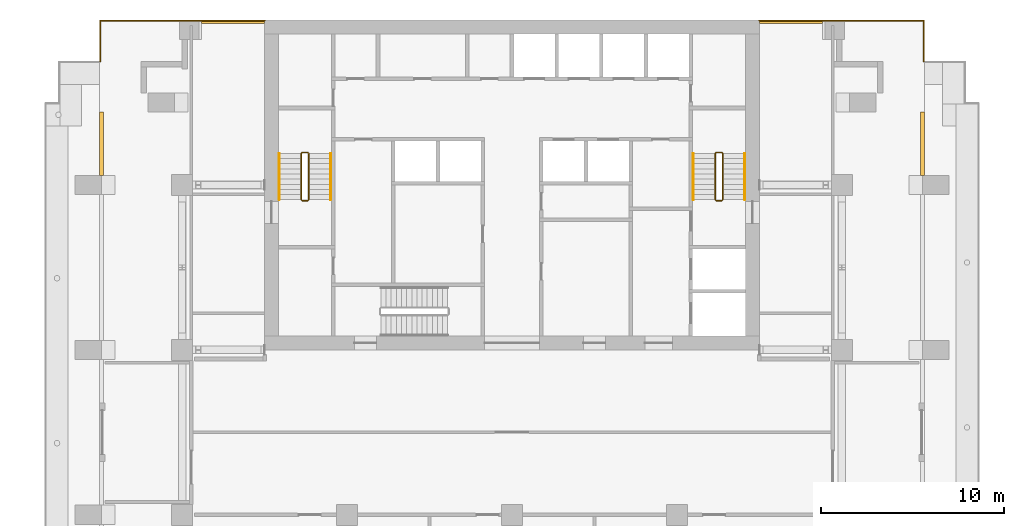
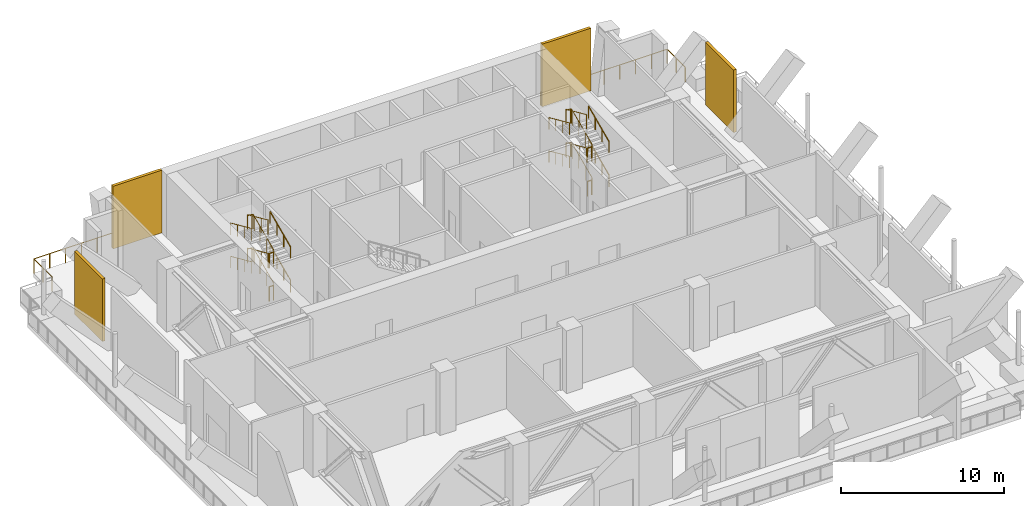
# One storey, part 8 of 9: 18 railings, 4 shading devices.
"""IFC4 building model written with IfcOpenShell, lengths in metres."""

from ifc_helpers import new_model, si_unit, direction, frame, origin, origin_2d, place, context, subcontext, project, spatial, polyline, rectangle, circle, outline, extrude, material, layer, layer_set, type_object, element, save


model = new_model("IFC4")

# Units and contexts
model_context = context("Model", 3, precision=1e-05, world=origin(), true_north=direction((0.0, 1.0)))
body_context = subcontext(model_context, "Body", "Model", "MODEL_VIEW")
ifc_project = project(units=[si_unit("LENGTHUNIT", "METRE"), si_unit("AREAUNIT", "SQUARE_METRE"), si_unit("VOLUMEUNIT", "CUBIC_METRE"), si_unit("PLANEANGLEUNIT", "RADIAN"), si_unit("MASSUNIT", "GRAM", prefix="KILO")], contexts=[model_context])

# Site, building, storey
site_placement = place(None, origin())
site = spatial("IfcSite", under=ifc_project, at=site_placement, CompositionType="ELEMENT")
building_placement = place(site_placement, origin())
building = spatial("IfcBuilding", under=site, at=building_placement, Name="Orbiselva Terraces", CompositionType="ELEMENT")
storey_placement = place(building_placement, frame((0.0, 0.0, 179.4)))
storey = spatial("IfcBuildingStorey", under=building, at=storey_placement, Name="L45", CompositionType="ELEMENT", Elevation=179.4)

# Railings
ifc_material_1 = material(Name="Stainless steel", Category="steel")
railing_type_1 = type_object("IfcRailingType", Name="CORE-GUARD-1100", PredefinedType="GUARDRAIL", material=ifc_material_1)
railing_1_placement = place(storey_placement, frame((-11.1, 12.7, 0.125)))
element("IfcRailing", 1, at=railing_1_placement, inside=storey, type_object=railing_type_1, Name="L45 S1 stair guard 1", PredefinedType="GUARDRAIL", context=body_context, shape_type="SweptSolid", body=[
    extrude(circle(Radius=0.024, at=origin_2d()), frame((0.0, 0.0, 1.081), z_axis=(0.0, 0.913137882438, 0.407650840374), x_axis=(-1.0, 0.0, 0.0)), (0.0, 0.0, 1.0), 2.759715),
    extrude(circle(Radius=0.024, at=origin_2d()), frame((0.0, 2.52, 2.206), z_axis=(-0.707106781187, 0.707106781187, 0.0), x_axis=(-0.707106781187, -0.707106781187, 0.0)), (0.0, 0.0, 1.0), 0.070711),
    extrude(circle(Radius=0.024, at=origin_2d()), frame((-0.05, 2.57, 2.206), z_axis=(-1.0, 0.0, 0.0), x_axis=(0.0, -1.0, 0.0)), (0.0, 0.0, 1.0), 0.3),
    extrude(circle(Radius=0.024, at=origin_2d()), frame((-0.35, 2.57, 2.206), z_axis=(-0.348155311911, -0.348155311911, 0.870388279778), x_axis=(0.707106781187, -0.707106781187, 0.0)), (0.0, 0.0, 1.0), 0.143614),
    extrude(circle(Radius=0.024, at=origin_2d()), frame((-0.4, 2.52, 2.331), z_axis=(0.0, -0.913137882438, 0.407650840374), x_axis=(1.0, 0.0, 0.0)), (0.0, 0.0, 1.0), 2.759715),
    extrude(circle(Radius=0.021, at=origin_2d()), origin(), (0.0, 0.0, 1.0), 1.057),
    extrude(circle(Radius=0.021, at=origin_2d()), frame((0.0, 0.84, 0.375)), (0.0, 0.0, 1.0), 1.057),
    extrude(circle(Radius=0.021, at=origin_2d()), frame((0.0, 1.68, 0.75)), (0.0, 0.0, 1.0), 1.057),
    extrude(circle(Radius=0.021, at=origin_2d()), frame((0.0, 2.52, 1.125)), (0.0, 0.0, 1.0), 1.057),
    extrude(circle(Radius=0.021, at=origin_2d()), frame((-0.05, 2.57, 1.125)), (0.0, 0.0, 1.0), 1.057),
    extrude(circle(Radius=0.021, at=origin_2d()), frame((-0.35, 2.57, 1.125)), (0.0, 0.0, 1.0), 1.057),
    extrude(circle(Radius=0.021, at=origin_2d()), frame((-0.4, 2.52, 1.25)), (0.0, 0.0, 1.0), 1.057),
    extrude(circle(Radius=0.021, at=origin_2d()), frame((-0.4, 1.68, 1.625)), (0.0, 0.0, 1.0), 1.057),
    extrude(circle(Radius=0.021, at=origin_2d()), frame((-0.4, 0.84, 2.0)), (0.0, 0.0, 1.0), 1.057),
    extrude(circle(Radius=0.021, at=origin_2d()), frame((-0.4, 0.0, 2.375)), (0.0, 0.0, 1.0), 1.057),
])
railing_2_placement = place(storey_placement, frame((-11.15, 12.65, 2.5)))
element("IfcRailing", 2, at=railing_2_placement, inside=storey, type_object=railing_type_1, Name="L45 S1 stair guard 2", PredefinedType="GUARDRAIL", context=body_context, shape_type="SweptSolid", body=[
    extrude(circle(Radius=0.024, at=origin_2d()), frame((0.0, 0.0, 1.081), z_axis=(-1.0, 0.0, 0.0), x_axis=(0.0, -1.0, 0.0)), (0.0, 0.0, 1.0), 0.3),
    extrude(circle(Radius=0.021, at=origin_2d()), origin(), (0.0, 0.0, 1.0), 1.057),
    extrude(circle(Radius=0.021, at=origin_2d()), frame((-0.3, 0.0, 0.0)), (0.0, 0.0, 1.0), 1.057),
])
railing_3_placement = place(storey_placement, frame((-11.1, 12.7, 2.625)))
element("IfcRailing", 3, at=railing_3_placement, inside=storey, type_object=railing_type_1, Name="L45 S1 stair guard 3", PredefinedType="GUARDRAIL", context=body_context, shape_type="SweptSolid", body=[
    extrude(circle(Radius=0.024, at=origin_2d()), frame((0.0, 0.0, 1.081), z_axis=(0.0, 0.913137882438, 0.407650840374), x_axis=(-1.0, 0.0, 0.0)), (0.0, 0.0, 1.0), 2.759715),
    extrude(circle(Radius=0.024, at=origin_2d()), frame((0.0, 2.52, 2.206), z_axis=(-0.707106781187, 0.707106781187, 0.0), x_axis=(-0.707106781187, -0.707106781187, 0.0)), (0.0, 0.0, 1.0), 0.070711),
    extrude(circle(Radius=0.024, at=origin_2d()), frame((-0.05, 2.57, 2.206), z_axis=(-1.0, 0.0, 0.0), x_axis=(0.0, -1.0, 0.0)), (0.0, 0.0, 1.0), 0.3),
    extrude(circle(Radius=0.024, at=origin_2d()), frame((-0.35, 2.57, 2.206), z_axis=(-0.348155311911, -0.348155311911, 0.870388279778), x_axis=(0.707106781187, -0.707106781187, 0.0)), (0.0, 0.0, 1.0), 0.143614),
    extrude(circle(Radius=0.024, at=origin_2d()), frame((-0.4, 2.52, 2.331), z_axis=(0.0, -0.913137882438, 0.407650840374), x_axis=(1.0, 0.0, 0.0)), (0.0, 0.0, 1.0), 2.759715),
    extrude(circle(Radius=0.021, at=origin_2d()), origin(), (0.0, 0.0, 1.0), 1.057),
    extrude(circle(Radius=0.021, at=origin_2d()), frame((0.0, 0.84, 0.375)), (0.0, 0.0, 1.0), 1.057),
    extrude(circle(Radius=0.021, at=origin_2d()), frame((0.0, 1.68, 0.75)), (0.0, 0.0, 1.0), 1.057),
    extrude(circle(Radius=0.021, at=origin_2d()), frame((0.0, 2.52, 1.125)), (0.0, 0.0, 1.0), 1.057),
    extrude(circle(Radius=0.021, at=origin_2d()), frame((-0.05, 2.57, 1.125)), (0.0, 0.0, 1.0), 1.057),
    extrude(circle(Radius=0.021, at=origin_2d()), frame((-0.35, 2.57, 1.125)), (0.0, 0.0, 1.0), 1.057),
    extrude(circle(Radius=0.021, at=origin_2d()), frame((-0.4, 2.52, 1.25)), (0.0, 0.0, 1.0), 1.057),
    extrude(circle(Radius=0.021, at=origin_2d()), frame((-0.4, 1.68, 1.625)), (0.0, 0.0, 1.0), 1.057),
    extrude(circle(Radius=0.021, at=origin_2d()), frame((-0.4, 0.84, 2.0)), (0.0, 0.0, 1.0), 1.057),
    extrude(circle(Radius=0.021, at=origin_2d()), frame((-0.4, 0.0, 2.375)), (0.0, 0.0, 1.0), 1.057),
])
railing_4_placement = place(storey_placement, frame((-11.15, 12.65, 0.0)))
element("IfcRailing", 4, at=railing_4_placement, inside=storey, type_object=railing_type_1, Name="L45 S1 stair guard 4", PredefinedType="GUARDRAIL", context=body_context, shape_type="SweptSolid", body=[
    extrude(circle(Radius=0.024, at=origin_2d()), frame((0.0, 0.0, 1.081), z_axis=(-1.0, 0.0, 0.0), x_axis=(0.0, -1.0, 0.0)), (0.0, 0.0, 1.0), 0.3),
    extrude(circle(Radius=0.021, at=origin_2d()), origin(), (0.0, 0.0, 1.0), 1.057),
    extrude(circle(Radius=0.021, at=origin_2d()), frame((-0.3, 0.0, 0.0)), (0.0, 0.0, 1.0), 1.057),
])
railing_5_placement = place(storey_placement, frame((11.5, 12.7, 0.125)))
element("IfcRailing", 5, at=railing_5_placement, inside=storey, type_object=railing_type_1, Name="L45 S2 stair guard 1", PredefinedType="GUARDRAIL", context=body_context, shape_type="SweptSolid", body=[
    extrude(circle(Radius=0.024, at=origin_2d()), frame((0.0, 0.0, 1.081), z_axis=(0.0, 0.913137882438, 0.407650840374), x_axis=(-1.0, 0.0, 0.0)), (0.0, 0.0, 1.0), 2.759715),
    extrude(circle(Radius=0.024, at=origin_2d()), frame((0.0, 2.52, 2.206), z_axis=(-0.707106781187, 0.707106781187, 0.0), x_axis=(-0.707106781187, -0.707106781187, 0.0)), (0.0, 0.0, 1.0), 0.070711),
    extrude(circle(Radius=0.024, at=origin_2d()), frame((-0.05, 2.57, 2.206), z_axis=(-1.0, 0.0, 0.0), x_axis=(0.0, -1.0, 0.0)), (0.0, 0.0, 1.0), 0.3),
    extrude(circle(Radius=0.024, at=origin_2d()), frame((-0.35, 2.57, 2.206), z_axis=(-0.348155311911, -0.348155311911, 0.870388279778), x_axis=(0.707106781187, -0.707106781187, 0.0)), (0.0, 0.0, 1.0), 0.143614),
    extrude(circle(Radius=0.024, at=origin_2d()), frame((-0.4, 2.52, 2.331), z_axis=(0.0, -0.913137882438, 0.407650840374), x_axis=(1.0, 0.0, 0.0)), (0.0, 0.0, 1.0), 2.759715),
    extrude(circle(Radius=0.021, at=origin_2d()), origin(), (0.0, 0.0, 1.0), 1.057),
    extrude(circle(Radius=0.021, at=origin_2d()), frame((0.0, 0.84, 0.375)), (0.0, 0.0, 1.0), 1.057),
    extrude(circle(Radius=0.021, at=origin_2d()), frame((0.0, 1.68, 0.75)), (0.0, 0.0, 1.0), 1.057),
    extrude(circle(Radius=0.021, at=origin_2d()), frame((0.0, 2.52, 1.125)), (0.0, 0.0, 1.0), 1.057),
    extrude(circle(Radius=0.021, at=origin_2d()), frame((-0.05, 2.57, 1.125)), (0.0, 0.0, 1.0), 1.057),
    extrude(circle(Radius=0.021, at=origin_2d()), frame((-0.35, 2.57, 1.125)), (0.0, 0.0, 1.0), 1.057),
    extrude(circle(Radius=0.021, at=origin_2d()), frame((-0.4, 2.52, 1.25)), (0.0, 0.0, 1.0), 1.057),
    extrude(circle(Radius=0.021, at=origin_2d()), frame((-0.4, 1.68, 1.625)), (0.0, 0.0, 1.0), 1.057),
    extrude(circle(Radius=0.021, at=origin_2d()), frame((-0.4, 0.84, 2.0)), (0.0, 0.0, 1.0), 1.057),
    extrude(circle(Radius=0.021, at=origin_2d()), frame((-0.4, 0.0, 2.375)), (0.0, 0.0, 1.0), 1.057),
])
railing_6_placement = place(storey_placement, frame((11.45, 12.65, 2.5)))
element("IfcRailing", 6, at=railing_6_placement, inside=storey, type_object=railing_type_1, Name="L45 S2 stair guard 2", PredefinedType="GUARDRAIL", context=body_context, shape_type="SweptSolid", body=[
    extrude(circle(Radius=0.024, at=origin_2d()), frame((0.0, 0.0, 1.081), z_axis=(-1.0, 0.0, 0.0), x_axis=(0.0, -1.0, 0.0)), (0.0, 0.0, 1.0), 0.3),
    extrude(circle(Radius=0.021, at=origin_2d()), origin(), (0.0, 0.0, 1.0), 1.057),
    extrude(circle(Radius=0.021, at=origin_2d()), frame((-0.3, 0.0, 0.0)), (0.0, 0.0, 1.0), 1.057),
])
railing_7_placement = place(storey_placement, frame((11.5, 12.7, 2.625)))
element("IfcRailing", 7, at=railing_7_placement, inside=storey, type_object=railing_type_1, Name="L45 S2 stair guard 3", PredefinedType="GUARDRAIL", context=body_context, shape_type="SweptSolid", body=[
    extrude(circle(Radius=0.024, at=origin_2d()), frame((0.0, 0.0, 1.081), z_axis=(0.0, 0.913137882438, 0.407650840374), x_axis=(-1.0, 0.0, 0.0)), (0.0, 0.0, 1.0), 2.759715),
    extrude(circle(Radius=0.024, at=origin_2d()), frame((0.0, 2.52, 2.206), z_axis=(-0.707106781187, 0.707106781187, 0.0), x_axis=(-0.707106781187, -0.707106781187, 0.0)), (0.0, 0.0, 1.0), 0.070711),
    extrude(circle(Radius=0.024, at=origin_2d()), frame((-0.05, 2.57, 2.206), z_axis=(-1.0, 0.0, 0.0), x_axis=(0.0, -1.0, 0.0)), (0.0, 0.0, 1.0), 0.3),
    extrude(circle(Radius=0.024, at=origin_2d()), frame((-0.35, 2.57, 2.206), z_axis=(-0.348155311911, -0.348155311911, 0.870388279778), x_axis=(0.707106781187, -0.707106781187, 0.0)), (0.0, 0.0, 1.0), 0.143614),
    extrude(circle(Radius=0.024, at=origin_2d()), frame((-0.4, 2.52, 2.331), z_axis=(0.0, -0.913137882438, 0.407650840374), x_axis=(1.0, 0.0, 0.0)), (0.0, 0.0, 1.0), 2.759715),
    extrude(circle(Radius=0.021, at=origin_2d()), origin(), (0.0, 0.0, 1.0), 1.057),
    extrude(circle(Radius=0.021, at=origin_2d()), frame((0.0, 0.84, 0.375)), (0.0, 0.0, 1.0), 1.057),
    extrude(circle(Radius=0.021, at=origin_2d()), frame((0.0, 1.68, 0.75)), (0.0, 0.0, 1.0), 1.057),
    extrude(circle(Radius=0.021, at=origin_2d()), frame((0.0, 2.52, 1.125)), (0.0, 0.0, 1.0), 1.057),
    extrude(circle(Radius=0.021, at=origin_2d()), frame((-0.05, 2.57, 1.125)), (0.0, 0.0, 1.0), 1.057),
    extrude(circle(Radius=0.021, at=origin_2d()), frame((-0.35, 2.57, 1.125)), (0.0, 0.0, 1.0), 1.057),
    extrude(circle(Radius=0.021, at=origin_2d()), frame((-0.4, 2.52, 1.25)), (0.0, 0.0, 1.0), 1.057),
    extrude(circle(Radius=0.021, at=origin_2d()), frame((-0.4, 1.68, 1.625)), (0.0, 0.0, 1.0), 1.057),
    extrude(circle(Radius=0.021, at=origin_2d()), frame((-0.4, 0.84, 2.0)), (0.0, 0.0, 1.0), 1.057),
    extrude(circle(Radius=0.021, at=origin_2d()), frame((-0.4, 0.0, 2.375)), (0.0, 0.0, 1.0), 1.057),
])
railing_8_placement = place(storey_placement, frame((11.45, 12.65, 0.0)))
element("IfcRailing", 8, at=railing_8_placement, inside=storey, type_object=railing_type_1, Name="L45 S2 stair guard 4", PredefinedType="GUARDRAIL", context=body_context, shape_type="SweptSolid", body=[
    extrude(circle(Radius=0.024, at=origin_2d()), frame((0.0, 0.0, 1.081), z_axis=(-1.0, 0.0, 0.0), x_axis=(0.0, -1.0, 0.0)), (0.0, 0.0, 1.0), 0.3),
    extrude(circle(Radius=0.021, at=origin_2d()), origin(), (0.0, 0.0, 1.0), 1.057),
    extrude(circle(Radius=0.021, at=origin_2d()), frame((-0.3, 0.0, 0.0)), (0.0, 0.0, 1.0), 1.057),
])
railing_type_2 = type_object("IfcRailingType", Name="CORE-HANDRAIL-900", PredefinedType="HANDRAIL", material=ifc_material_1)
railing_9_placement = place(storey_placement, frame((-9.9, 12.7, 0.125)))
element("IfcRailing", 9, at=railing_9_placement, inside=storey, type_object=railing_type_2, Name="L45 S1 stair handrail 1", PredefinedType="HANDRAIL", context=body_context, shape_type="SweptSolid", body=[
    extrude(circle(Radius=0.024, at=origin_2d()), frame((0.0, 0.0, 0.876), z_axis=(0.0, 0.913137882438, 0.407650840374), x_axis=(-1.0, 0.0, 0.0)), (0.0, 0.0, 1.0), 2.759715),
    extrude(circle(Radius=0.021, at=origin_2d()), origin(), (0.0, 0.0, 1.0), 0.852),
    extrude(circle(Radius=0.021, at=origin_2d()), frame((0.0, 0.84, 0.375)), (0.0, 0.0, 1.0), 0.852),
    extrude(circle(Radius=0.021, at=origin_2d()), frame((0.0, 1.68, 0.75)), (0.0, 0.0, 1.0), 0.852),
    extrude(circle(Radius=0.021, at=origin_2d()), frame((0.0, 2.52, 1.125)), (0.0, 0.0, 1.0), 0.852),
])
railing_10_placement = place(storey_placement, frame((-12.7, 15.22, 1.375)))
element("IfcRailing", 10, at=railing_10_placement, inside=storey, type_object=railing_type_2, Name="L45 S1 stair handrail 2", PredefinedType="HANDRAIL", context=body_context, shape_type="SweptSolid", body=[
    extrude(circle(Radius=0.024, at=origin_2d()), frame((0.0, 0.0, 0.876), z_axis=(0.0, -0.913137882438, 0.407650840374), x_axis=(1.0, 0.0, 0.0)), (0.0, 0.0, 1.0), 2.759715),
    extrude(circle(Radius=0.021, at=origin_2d()), origin(), (0.0, 0.0, 1.0), 0.852),
    extrude(circle(Radius=0.021, at=origin_2d()), frame((0.0, -0.84, 0.375)), (0.0, 0.0, 1.0), 0.852),
    extrude(circle(Radius=0.021, at=origin_2d()), frame((0.0, -1.68, 0.75)), (0.0, 0.0, 1.0), 0.852),
    extrude(circle(Radius=0.021, at=origin_2d()), frame((0.0, -2.52, 1.125)), (0.0, 0.0, 1.0), 0.852),
])
railing_11_placement = place(storey_placement, frame((-9.9, 12.7, 2.625)))
element("IfcRailing", 11, at=railing_11_placement, inside=storey, type_object=railing_type_2, Name="L45 S1 stair handrail 3", PredefinedType="HANDRAIL", context=body_context, shape_type="SweptSolid", body=[
    extrude(circle(Radius=0.024, at=origin_2d()), frame((0.0, 0.0, 0.876), z_axis=(0.0, 0.913137882438, 0.407650840374), x_axis=(-1.0, 0.0, 0.0)), (0.0, 0.0, 1.0), 2.759715),
    extrude(circle(Radius=0.021, at=origin_2d()), origin(), (0.0, 0.0, 1.0), 0.852),
    extrude(circle(Radius=0.021, at=origin_2d()), frame((0.0, 0.84, 0.375)), (0.0, 0.0, 1.0), 0.852),
    extrude(circle(Radius=0.021, at=origin_2d()), frame((0.0, 1.68, 0.75)), (0.0, 0.0, 1.0), 0.852),
    extrude(circle(Radius=0.021, at=origin_2d()), frame((0.0, 2.52, 1.125)), (0.0, 0.0, 1.0), 0.852),
])
railing_12_placement = place(storey_placement, frame((-12.7, 15.22, 3.875)))
element("IfcRailing", 12, at=railing_12_placement, inside=storey, type_object=railing_type_2, Name="L45 S1 stair handrail 4", PredefinedType="HANDRAIL", context=body_context, shape_type="SweptSolid", body=[
    extrude(circle(Radius=0.024, at=origin_2d()), frame((0.0, 0.0, 0.876), z_axis=(0.0, -0.913137882438, 0.407650840374), x_axis=(1.0, 0.0, 0.0)), (0.0, 0.0, 1.0), 2.759715),
    extrude(circle(Radius=0.021, at=origin_2d()), origin(), (0.0, 0.0, 1.0), 0.852),
    extrude(circle(Radius=0.021, at=origin_2d()), frame((0.0, -0.84, 0.375)), (0.0, 0.0, 1.0), 0.852),
    extrude(circle(Radius=0.021, at=origin_2d()), frame((0.0, -1.68, 0.75)), (0.0, 0.0, 1.0), 0.852),
    extrude(circle(Radius=0.021, at=origin_2d()), frame((0.0, -2.52, 1.125)), (0.0, 0.0, 1.0), 0.852),
])
railing_13_placement = place(storey_placement, frame((12.7, 12.7, 0.125)))
element("IfcRailing", 13, at=railing_13_placement, inside=storey, type_object=railing_type_2, Name="L45 S2 stair handrail 1", PredefinedType="HANDRAIL", context=body_context, shape_type="SweptSolid", body=[
    extrude(circle(Radius=0.024, at=origin_2d()), frame((0.0, 0.0, 0.876), z_axis=(0.0, 0.913137882438, 0.407650840374), x_axis=(-1.0, 0.0, 0.0)), (0.0, 0.0, 1.0), 2.759715),
    extrude(circle(Radius=0.021, at=origin_2d()), origin(), (0.0, 0.0, 1.0), 0.852),
    extrude(circle(Radius=0.021, at=origin_2d()), frame((0.0, 0.84, 0.375)), (0.0, 0.0, 1.0), 0.852),
    extrude(circle(Radius=0.021, at=origin_2d()), frame((0.0, 1.68, 0.75)), (0.0, 0.0, 1.0), 0.852),
    extrude(circle(Radius=0.021, at=origin_2d()), frame((0.0, 2.52, 1.125)), (0.0, 0.0, 1.0), 0.852),
])
railing_14_placement = place(storey_placement, frame((9.9, 15.22, 1.375)))
element("IfcRailing", 14, at=railing_14_placement, inside=storey, type_object=railing_type_2, Name="L45 S2 stair handrail 2", PredefinedType="HANDRAIL", context=body_context, shape_type="SweptSolid", body=[
    extrude(circle(Radius=0.024, at=origin_2d()), frame((0.0, 0.0, 0.876), z_axis=(0.0, -0.913137882438, 0.407650840374), x_axis=(1.0, 0.0, 0.0)), (0.0, 0.0, 1.0), 2.759715),
    extrude(circle(Radius=0.021, at=origin_2d()), origin(), (0.0, 0.0, 1.0), 0.852),
    extrude(circle(Radius=0.021, at=origin_2d()), frame((0.0, -0.84, 0.375)), (0.0, 0.0, 1.0), 0.852),
    extrude(circle(Radius=0.021, at=origin_2d()), frame((0.0, -1.68, 0.75)), (0.0, 0.0, 1.0), 0.852),
    extrude(circle(Radius=0.021, at=origin_2d()), frame((0.0, -2.52, 1.125)), (0.0, 0.0, 1.0), 0.852),
])
railing_15_placement = place(storey_placement, frame((12.7, 12.7, 2.625)))
element("IfcRailing", 15, at=railing_15_placement, inside=storey, type_object=railing_type_2, Name="L45 S2 stair handrail 3", PredefinedType="HANDRAIL", context=body_context, shape_type="SweptSolid", body=[
    extrude(circle(Radius=0.024, at=origin_2d()), frame((0.0, 0.0, 0.876), z_axis=(0.0, 0.913137882438, 0.407650840374), x_axis=(-1.0, 0.0, 0.0)), (0.0, 0.0, 1.0), 2.759715),
    extrude(circle(Radius=0.021, at=origin_2d()), origin(), (0.0, 0.0, 1.0), 0.852),
    extrude(circle(Radius=0.021, at=origin_2d()), frame((0.0, 0.84, 0.375)), (0.0, 0.0, 1.0), 0.852),
    extrude(circle(Radius=0.021, at=origin_2d()), frame((0.0, 1.68, 0.75)), (0.0, 0.0, 1.0), 0.852),
    extrude(circle(Radius=0.021, at=origin_2d()), frame((0.0, 2.52, 1.125)), (0.0, 0.0, 1.0), 0.852),
])
railing_16_placement = place(storey_placement, frame((9.9, 15.22, 3.875)))
element("IfcRailing", 16, at=railing_16_placement, inside=storey, type_object=railing_type_2, Name="L45 S2 stair handrail 4", PredefinedType="HANDRAIL", context=body_context, shape_type="SweptSolid", body=[
    extrude(circle(Radius=0.024, at=origin_2d()), frame((0.0, 0.0, 0.876), z_axis=(0.0, -0.913137882438, 0.407650840374), x_axis=(1.0, 0.0, 0.0)), (0.0, 0.0, 1.0), 2.759715),
    extrude(circle(Radius=0.021, at=origin_2d()), origin(), (0.0, 0.0, 1.0), 0.852),
    extrude(circle(Radius=0.021, at=origin_2d()), frame((0.0, -0.84, 0.375)), (0.0, 0.0, 1.0), 0.852),
    extrude(circle(Radius=0.021, at=origin_2d()), frame((0.0, -1.68, 0.75)), (0.0, 0.0, 1.0), 0.852),
    extrude(circle(Radius=0.021, at=origin_2d()), frame((0.0, -2.52, 1.125)), (0.0, 0.0, 1.0), 0.852),
])

# Shading devices
ifc_material_2 = material(Name="Terracotta louvre blades", Category="masonry")
ifc_layer = layer(ifc_material_2, 0.2)
ifc_layer_set = layer_set([ifc_layer], Name="Terracotta louvre blades")
shading_device_type = type_object("IfcShadingDeviceType", Name="ENV-LOUVRE-WALL-200", PredefinedType="USERDEFINED", material=ifc_layer_set)
shading_device_1_placement = place(storey_placement, origin())
element("IfcShadingDevice", 17, at=shading_device_1_placement, inside=storey, type_object=shading_device_type, Name="Louvre wall L45 E", ObjectType="LOUVRE", PredefinedType="USERDEFINED", context=body_context, shape_type="SweptSolid", body=[
    extrude(outline(polyline([(22.5, 14.025), (22.5, 17.475), (22.3, 17.475), (22.3, 14.025), (22.5, 14.025)])), origin(), (0.0, 0.0, 1.0), 4.7),
])
shading_device_2_placement = place(storey_placement, origin())
element("IfcShadingDevice", 18, at=shading_device_2_placement, inside=storey, type_object=shading_device_type, Name="Louvre wall L45 NE", ObjectType="LOUVRE", PredefinedType="USERDEFINED", context=body_context, shape_type="SweptSolid", body=[
    extrude(outline(polyline([(16.95, 22.5), (13.5, 22.5), (13.5, 22.3), (16.95, 22.3), (16.95, 22.5)])), origin(), (0.0, 0.0, 1.0), 4.7),
])
shading_device_3_placement = place(storey_placement, origin())
element("IfcShadingDevice", 19, at=shading_device_3_placement, inside=storey, type_object=shading_device_type, Name="Louvre wall L45 NW", ObjectType="LOUVRE", PredefinedType="USERDEFINED", context=body_context, shape_type="SweptSolid", body=[
    extrude(outline(polyline([(-13.5, 22.5), (-16.95, 22.5), (-16.95, 22.3), (-13.5, 22.3), (-13.5, 22.5)])), origin(), (0.0, 0.0, 1.0), 4.7),
])
shading_device_4_placement = place(storey_placement, origin())
element("IfcShadingDevice", 20, at=shading_device_4_placement, inside=storey, type_object=shading_device_type, Name="Louvre wall L45 W", ObjectType="LOUVRE", PredefinedType="USERDEFINED", context=body_context, shape_type="SweptSolid", body=[
    extrude(outline(polyline([(-22.5, 17.475), (-22.5, 14.025), (-22.3, 14.025), (-22.3, 17.475), (-22.5, 17.475)])), origin(), (0.0, 0.0, 1.0), 4.7),
])

# Railings
ifc_material_3 = material(Name="Stainless steel rail and posts", Category="steel")
railing_type_3 = type_object("IfcRailingType", Name="ENV-TERRACE-GUARD-1105", PredefinedType="BALUSTRADE", material=ifc_material_3)
railing_17_placement = place(storey_placement, frame((-13.5, 22.475, 0.0)))
element("IfcRailing", 21, at=railing_17_placement, inside=storey, type_object=railing_type_3, Name="Guard L45 floor-edge", PredefinedType="BALUSTRADE", context=body_context, shape_type="SweptSolid", body=[
    extrude(outline(polyline([(0.028868, 0.0), (0.014434, 0.025), (-0.014434, 0.025), (-0.028868, 0.0), (-0.014434, -0.025), (0.014434, -0.025), (0.028868, 0.0)])), frame((0.0, 0.0, 1.08), z_axis=(-1.0, 0.0, 0.0), x_axis=(0.0, -1.0, 0.0)), (0.0, 0.0, 1.0), 8.975),
    extrude(outline(polyline([(0.028868, 0.0), (0.014434, 0.025), (-0.014434, 0.025), (-0.028868, 0.0), (-0.014434, -0.025), (0.014434, -0.025), (0.028868, 0.0)])), frame((-8.975, 0.0, 1.08), z_axis=(0.0, -1.0, 0.0), x_axis=(1.0, 0.0, 0.0)), (0.0, 0.0, 1.0), 2.225),
    extrude(rectangle(XDim=0.05, YDim=0.05, at=origin_2d()), origin(), (0.0, 0.0, 1.0), 1.055),
    extrude(rectangle(XDim=0.05, YDim=0.05, at=origin_2d()), frame((-1.121875, 0.0, 0.0)), (0.0, 0.0, 1.0), 1.055),
    extrude(rectangle(XDim=0.05, YDim=0.05, at=origin_2d()), frame((-2.24375, 0.0, 0.0)), (0.0, 0.0, 1.0), 1.055),
    extrude(rectangle(XDim=0.05, YDim=0.05, at=origin_2d()), frame((-3.365625, 0.0, 0.0)), (0.0, 0.0, 1.0), 1.055),
    extrude(rectangle(XDim=0.05, YDim=0.05, at=origin_2d()), frame((-4.4875, 0.0, 0.0)), (0.0, 0.0, 1.0), 1.055),
    extrude(rectangle(XDim=0.05, YDim=0.05, at=origin_2d()), frame((-5.609375, 0.0, 0.0)), (0.0, 0.0, 1.0), 1.055),
    extrude(rectangle(XDim=0.05, YDim=0.05, at=origin_2d()), frame((-6.73125, 0.0, 0.0)), (0.0, 0.0, 1.0), 1.055),
    extrude(rectangle(XDim=0.05, YDim=0.05, at=origin_2d()), frame((-7.853125, 0.0, 0.0)), (0.0, 0.0, 1.0), 1.055),
    extrude(rectangle(XDim=0.05, YDim=0.05, at=origin_2d()), frame((-8.975, 0.0, 0.0)), (0.0, 0.0, 1.0), 1.055),
    extrude(rectangle(XDim=0.05, YDim=0.05, at=origin_2d()), frame((-8.975, -1.1125, 0.0)), (0.0, 0.0, 1.0), 1.055),
    extrude(rectangle(XDim=0.05, YDim=0.05, at=origin_2d()), frame((-8.975, -2.225, 0.0)), (0.0, 0.0, 1.0), 1.055),
])
railing_18_placement = place(storey_placement, frame((22.475, 20.25, 0.0)))
element("IfcRailing", 22, at=railing_18_placement, inside=storey, type_object=railing_type_3, Name="Guard L45 floor-edge", PredefinedType="BALUSTRADE", context=body_context, shape_type="SweptSolid", body=[
    extrude(outline(polyline([(0.028868, 0.0), (0.014434, 0.025), (-0.014434, 0.025), (-0.028868, 0.0), (-0.014434, -0.025), (0.014434, -0.025), (0.028868, 0.0)])), frame((0.0, 0.0, 1.08), z_axis=(0.0, 1.0, 0.0), x_axis=(-1.0, 0.0, 0.0)), (0.0, 0.0, 1.0), 2.225),
    extrude(outline(polyline([(0.028868, 0.0), (0.014434, 0.025), (-0.014434, 0.025), (-0.028868, 0.0), (-0.014434, -0.025), (0.014434, -0.025), (0.028868, 0.0)])), frame((0.0, 2.225, 1.08), z_axis=(-1.0, 0.0, 0.0), x_axis=(0.0, -1.0, 0.0)), (0.0, 0.0, 1.0), 8.975),
    extrude(rectangle(XDim=0.05, YDim=0.05, at=origin_2d()), origin(), (0.0, 0.0, 1.0), 1.055),
    extrude(rectangle(XDim=0.05, YDim=0.05, at=origin_2d()), frame((0.0, 1.1125, 0.0)), (0.0, 0.0, 1.0), 1.055),
    extrude(rectangle(XDim=0.05, YDim=0.05, at=origin_2d()), frame((0.0, 2.225, 0.0)), (0.0, 0.0, 1.0), 1.055),
    extrude(rectangle(XDim=0.05, YDim=0.05, at=origin_2d()), frame((-1.121875, 2.225, 0.0)), (0.0, 0.0, 1.0), 1.055),
    extrude(rectangle(XDim=0.05, YDim=0.05, at=origin_2d()), frame((-2.24375, 2.225, 0.0)), (0.0, 0.0, 1.0), 1.055),
    extrude(rectangle(XDim=0.05, YDim=0.05, at=origin_2d()), frame((-3.365625, 2.225, 0.0)), (0.0, 0.0, 1.0), 1.055),
    extrude(rectangle(XDim=0.05, YDim=0.05, at=origin_2d()), frame((-4.4875, 2.225, 0.0)), (0.0, 0.0, 1.0), 1.055),
    extrude(rectangle(XDim=0.05, YDim=0.05, at=origin_2d()), frame((-5.609375, 2.225, 0.0)), (0.0, 0.0, 1.0), 1.055),
    extrude(rectangle(XDim=0.05, YDim=0.05, at=origin_2d()), frame((-6.73125, 2.225, 0.0)), (0.0, 0.0, 1.0), 1.055),
    extrude(rectangle(XDim=0.05, YDim=0.05, at=origin_2d()), frame((-7.853125, 2.225, 0.0)), (0.0, 0.0, 1.0), 1.055),
    extrude(rectangle(XDim=0.05, YDim=0.05, at=origin_2d()), frame((-8.975, 2.225, 0.0)), (0.0, 0.0, 1.0), 1.055),
])

save(model, "model.ifc")
